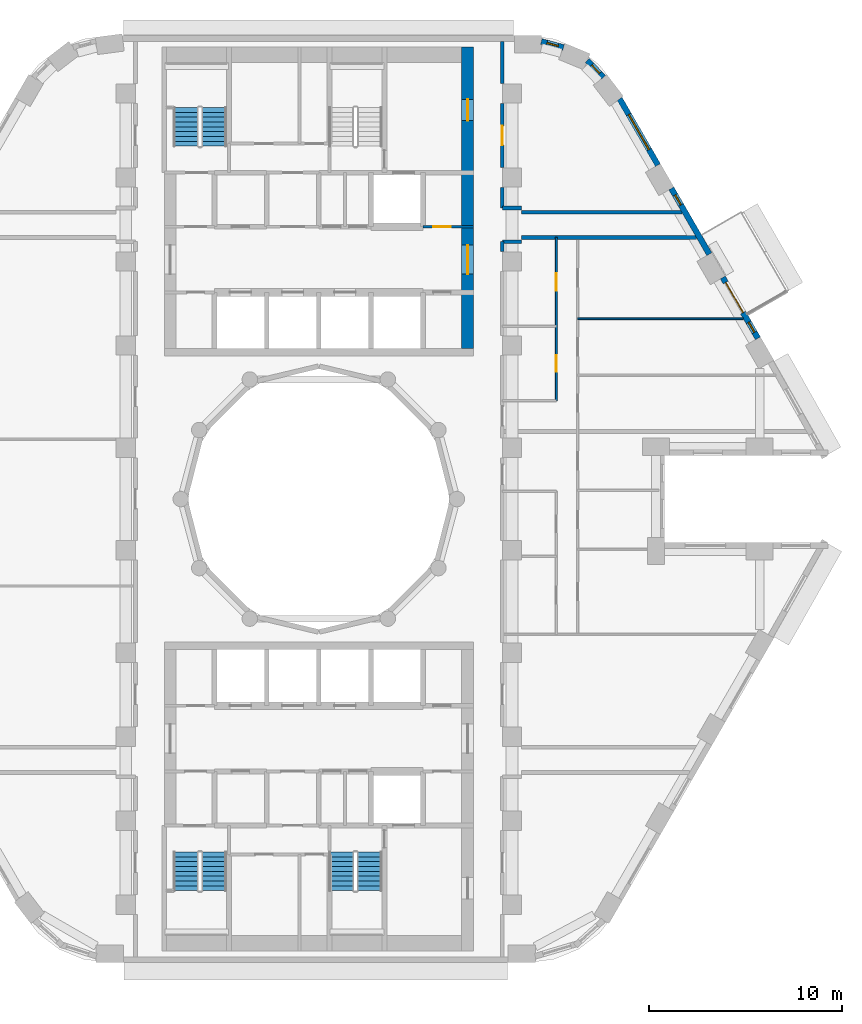
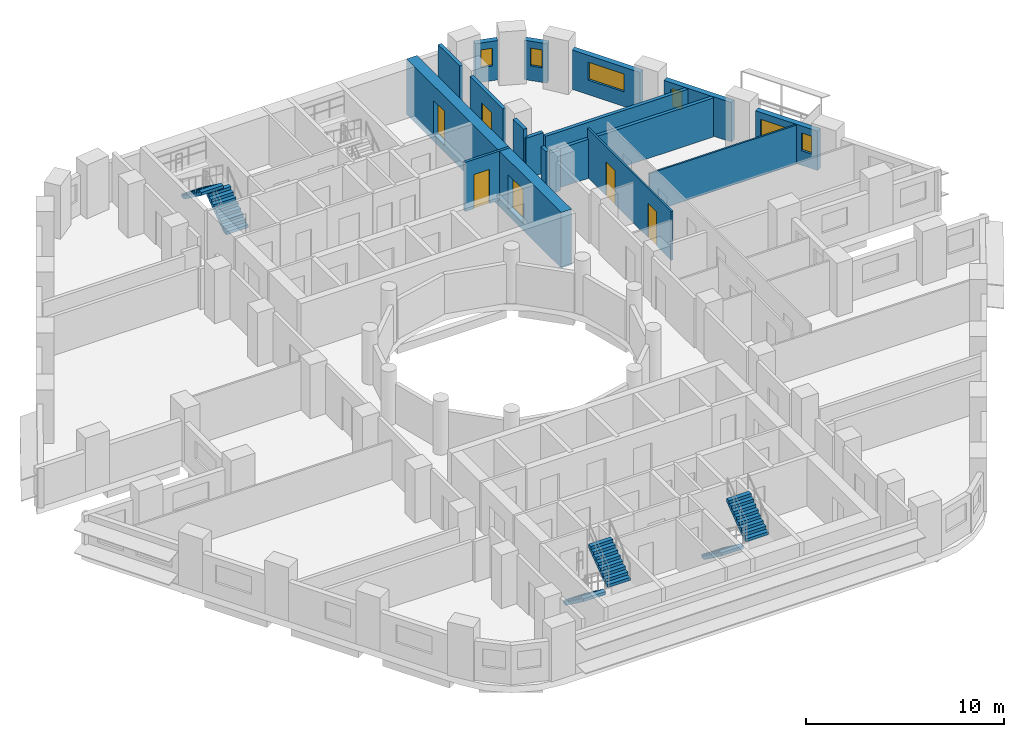
# One storey, part 8 of 13: 17 walls, 7 doors, 6 stair flights, 5 windows, 12 openings, 3 elements without a shape of their own.
"""IFC4 building model written with IfcOpenShell, lengths in metres."""

from ifc_helpers import new_model, si_unit, direction, frame, frame_2d, origin, place, context, subcontext, project, spatial, polyline, rectangle, outline, extrude, material, layer, layer_set, type_object, element, fill, aggregate, save


model = new_model("IFC4")

# Units and contexts
model_context = context("Model", 3, precision=1e-05, world=origin(), true_north=direction((0.0, 1.0)))
body_context = subcontext(model_context, "Body", "Model", "MODEL_VIEW")
ifc_project = project(units=[si_unit("LENGTHUNIT", "METRE"), si_unit("AREAUNIT", "SQUARE_METRE"), si_unit("VOLUMEUNIT", "CUBIC_METRE"), si_unit("PLANEANGLEUNIT", "RADIAN"), si_unit("MASSUNIT", "GRAM", prefix="KILO")], contexts=[model_context])

# Site, building, storey
site_placement = place(None, origin())
site = spatial("IfcSite", under=ifc_project, at=site_placement, CompositionType="ELEMENT")
building_placement = place(site_placement, origin())
building = spatial("IfcBuilding", under=site, at=building_placement, Name="Nakaniwa Court", CompositionType="ELEMENT")
storey_placement = place(building_placement, frame((0.0, 0.0, 77.699951171875)))
storey = spatial("IfcBuildingStorey", under=building, at=storey_placement, Name="L19", CompositionType="ELEMENT", Elevation=77.699951171875)

# Walls
ifc_material_1 = material(Name="Acoustic double stud partition")
ifc_layer_1 = layer(ifc_material_1, 0.199951171875)
ifc_layer_set_1 = layer_set([ifc_layer_1], Name="Acoustic double stud partition")
wall_type_1 = type_object("IfcWallType", Name="Acoustic double stud partition 200", PredefinedType="PARTITIONING", material=ifc_layer_set_1)
wall_1_placement = place(storey_placement, frame((89.5, 92.81689453125, 0.0), z_axis=(0.0, 0.0, 1.0), x_axis=(0.0, 1.0, 0.0)))
element("IfcWall", 1, at=wall_1_placement, inside=storey, type_object=wall_type_1, Name="Partition PW-077", PredefinedType="PARTITIONING", context=body_context, shape_type="SweptSolid", body=[
    extrude(rectangle(XDim=0.510986328125, YDim=0.199951171875, at=frame_2d((0.25537109375, 0.0))), origin(), (0.0, 0.0, 1.0), 3.025146484375),
])
wall_2_placement = place(storey_placement, frame((89.5, 95.072021484375, 0.0), z_axis=(0.0, 0.0, 1.0), x_axis=(0.0, 1.0, 0.0)))
element("IfcWall", 2, at=wall_2_placement, inside=storey, type_object=wall_type_1, Name="Partition PW-078", PredefinedType="PARTITIONING", context=body_context, shape_type="SweptSolid", body=[
    extrude(rectangle(XDim=1.06103515625, YDim=0.199951171875, at=frame_2d((0.530517578125, 0.0))), origin(), (0.0, 0.0, 1.0), 3.025146484375),
])

# Wall, opening, door
wall_3_placement = place(storey_placement, frame((89.5, 100.48291015625, 0.0), z_axis=(0.0, 0.0, 1.0), x_axis=(0.0, -1.0, 0.0)))
wall_3 = element("IfcWall", 3, at=wall_3_placement, inside=storey, type_object=wall_type_1, Name="Partition PW-079", PredefinedType="PARTITIONING", context=body_context, shape_type="SweptSolid", body=[
    extrude(rectangle(XDim=3.31591796875, YDim=0.199951171875, at=frame_2d((1.657958984375, 0.0))), origin(), (0.0, 0.0, 1.0), 3.025146484375),
])
opening_1_placement = place(wall_3_placement, frame((1.157958984375, 0.0, 0.0)))
opening_1 = element("IfcOpeningElement", 4, at=opening_1_placement, cuts=wall_3, Name="Opening D-02-02", PredefinedType="OPENING", context=body_context, shape_type="SweptSolid", body=[
    extrude(rectangle(XDim=1.0, YDim=2.10009765625, at=frame_2d((0.5, 1.050048828125))), frame((0.0, 0.10986328125, 0.0), z_axis=(0.0, -1.0, 0.0), x_axis=(1.0, 0.0, 0.0)), (0.0, 0.0, 1.0), 0.219970703125),
])
ifc_material_2 = material(Name="Solid core timber door set, black veneer", Category="wood")
door_type_1 = type_object("IfcDoorType", Name="Internal door 1000", OperationType="NOTDEFINED", PredefinedType="DOOR", material=ifc_material_2)
door_1_placement = place(opening_1_placement, origin())
door_1 = element("IfcDoor", 5, at=door_1_placement, inside=storey, type_object=door_type_1, Name="Door D-02-02 L19-040", OperationType="SINGLE_SWING_LEFT", OverallHeight=2.10009765625, OverallWidth=1.0, PredefinedType="DOOR", context=body_context, shape_type="SweptSolid", body=[
    extrude(rectangle(XDim=1.0, YDim=2.10009765625, at=frame_2d((0.5, 1.050048828125))), frame((0.0, 0.02490234375, 0.0), z_axis=(0.0, -1.0, 0.0), x_axis=(1.0, 0.0, 0.0)), (0.0, 0.0, 1.0), 0.050048828125),
])
fill(opening_1, door_1)

# Walls
wall_4_placement = place(storey_placement, frame((89.5, 101.51708984375, 0.0), z_axis=(0.0, 0.0, 1.0), x_axis=(0.0, 1.0, 0.0)))
element("IfcWall", 6, at=wall_4_placement, inside=storey, type_object=wall_type_1, Name="Partition PW-080", PredefinedType="PARTITIONING", context=body_context, shape_type="SweptSolid", body=[
    extrude(rectangle(XDim=2.182861328125, YDim=0.199951171875, at=frame_2d((1.09130859375, 0.0))), origin(), (0.0, 0.0, 1.0), 3.025146484375),
])
wall_5_placement = place(storey_placement, frame((90.5, 93.550048828125, 0.0), z_axis=(0.0, 0.0, 1.0), x_axis=(1.0, 0.0, 0.0)))
element("IfcWall", 7, at=wall_5_placement, inside=storey, type_object=wall_type_1, Name="Partition PW-082", PredefinedType="PARTITIONING", context=body_context, shape_type="SweptSolid", body=[
    extrude(rectangle(XDim=9.043212890625, YDim=0.199951171875, at=frame_2d((4.521484375, 0.0))), origin(), (0.0, 0.0, 1.0), 2.405029296875),
])
for number, where, z_axis, x_axis, name in (
    (8, (89.5, 93.324951171875, 0.0), (0.0, 0.0, 1.0), (1.0, 0.0, 0.0), "Partition PW-084"),
    (9, (89.5, 95.074951171875, 0.0), (0.0, 0.0, 1.0), (1.0, 0.0, 0.0), "Partition PW-086"),
):
    element("IfcWall", number, at=place(storey_placement, frame(where, z_axis=z_axis, x_axis=x_axis)), inside=storey, type_object=wall_type_1, Name=name, PredefinedType="PARTITIONING", context=body_context, shape_type="SweptSolid", body=[
        extrude(rectangle(XDim=1.0, YDim=0.199951171875, at=frame_2d((0.5, 0.0))), origin(), (0.0, 0.0, 1.0), 2.505126953125),
    ])
wall_6_placement = place(storey_placement, frame((90.5, 94.85009765625, 0.0), z_axis=(0.0, 0.0, 1.0), x_axis=(1.0, 0.0, 0.0)))
element("IfcWall", 10, at=wall_6_placement, inside=storey, type_object=wall_type_1, Name="Partition PW-088", PredefinedType="PARTITIONING", context=body_context, shape_type="SweptSolid", body=[
    extrude(rectangle(XDim=8.292724609375, YDim=0.199951171875, at=frame_2d((4.146484375, 0.0))), origin(), (0.0, 0.0, 1.0), 2.405029296875),
])

# Wall, openings, door, window
ifc_material_3 = material(Name="Charcoal ceramic cladding")
ifc_layer_2 = layer(ifc_material_3, 0.02, Name="Ceramic cladding")
ifc_material_4 = material(Name="Ventilated air cavity")
ifc_layer_3 = layer(ifc_material_4, 0.04, ventilated=True, Name="Ventilated cavity")
ifc_material_5 = material(Name="Mineral wool insulation")
ifc_layer_4 = layer(ifc_material_5, 0.1, Name="Insulation")
ifc_material_6 = material(Name="Cement bonded sheathing board")
ifc_layer_5 = layer(ifc_material_6, 0.012, Name="Sheathing")
ifc_material_7 = material(Name="Cold-formed galvanised stud frame with mineral wool infill")
ifc_layer_6 = layer(ifc_material_7, 0.1, Name="Stud frame")
ifc_material_8 = material(Name="Fire-rated gypsum plasterboard lining")
ifc_layer_7 = layer(ifc_material_8, 0.028, Name="Lining")
ifc_layer_set_2 = layer_set([ifc_layer_2, ifc_layer_3, ifc_layer_4, ifc_layer_5, ifc_layer_6, ifc_layer_7], Name="Charcoal ceramic faced external wall system")
wall_type_2 = type_object("IfcWallType", Name="Black ceramic faced external wall 300", PredefinedType="SOLIDWALL", material=ifc_layer_set_2)
wall_7_placement = place(storey_placement, frame((102.734619140625, 88.322509765625, 0.0), z_axis=(0.0, 0.0, 1.0), x_axis=(-0.500009139881, 0.866020126807, 0.0)))
wall_7 = element("IfcWall", 11, at=wall_7_placement, inside=storey, type_object=wall_type_2, Name="L19 external wall 03", PredefinedType="SOLIDWALL", context=body_context, shape_type="SweptSolid", body=[
    extrude(rectangle(XDim=3.63671875, YDim=0.300048828125, at=frame_2d((1.818359375, 0.0))), origin(), (0.0, 0.0, 1.0), 2.425048828125),
])
opening_2_placement = place(wall_7_placement, frame((1.540283203125, 0.0, 0.0)))
opening_2 = element("IfcOpeningElement", 12, at=opening_2_placement, cuts=wall_7, Name="Opening XD12.01", PredefinedType="OPENING", context=body_context, shape_type="SweptSolid", body=[
    extrude(rectangle(XDim=1.800048828125, YDim=2.0, at=frame_2d((0.89990234375, 1.0))), frame((0.0, 0.159912109375, 0.0), z_axis=(0.0, -1.0, 0.0), x_axis=(1.0, 0.0, 0.0)), (0.0, 0.0, 1.0), 0.320068359375),
])
opening_3_placement = place(wall_7_placement, frame((0.35888671875, 0.0, 0.89990234375)))
opening_3 = element("IfcOpeningElement", 13, at=opening_3_placement, cuts=wall_7, Name="Opening W8.05", PredefinedType="OPENING", context=body_context, shape_type="SweptSolid", body=[
    extrude(rectangle(XDim=0.60009765625, YDim=1.10009765625, at=frame_2d((0.300048828125, 0.550048828125))), frame((0.0, 0.159912109375, 0.0), z_axis=(0.0, -1.0, 0.0), x_axis=(1.0, 0.0, 0.0)), (0.0, 0.0, 1.0), 0.320068359375),
])
ifc_material_9 = material(Name="Black powder-coated aluminium frame with dark laminated glass", Category="aluminium")
door_type_2 = type_object("IfcDoorType", Name="Balcony sliding door 1800x2000", OperationType="SLIDING_TO_LEFT", PredefinedType="DOOR", material=ifc_material_9)
door_2_placement = place(opening_2_placement, origin())
door_2 = element("IfcDoor", 14, at=door_2_placement, inside=storey, type_object=door_type_2, Name="L19 balcony sliding door 01", OperationType="SLIDING_TO_LEFT", OverallHeight=2.0, OverallWidth=1.800048828125, PredefinedType="DOOR", context=body_context, shape_type="SweptSolid", body=[
    extrude(rectangle(XDim=1.800048828125, YDim=2.0, at=frame_2d((0.89990234375, 1.0))), frame((0.0, 0.02490234375, 0.0), z_axis=(0.0, -1.0, 0.0), x_axis=(1.0, 0.0, 0.0)), (0.0, 0.0, 1.0), 0.050048828125),
])
fill(opening_2, door_2)
ifc_material_10 = material(Name="Black anodised aluminium frame with dark low-E laminated double glazing", Category="aluminium")
window_type_1 = type_object("IfcWindowType", Name="Dark glass window 600x1100 sill 900", PartitioningType="SINGLE_PANEL", PredefinedType="WINDOW", material=ifc_material_10)
window_1_placement = place(opening_3_placement, origin())
window_1 = element("IfcWindow", 15, at=window_1_placement, inside=storey, type_object=window_type_1, Name="L19 bedroom window 03-0", OverallHeight=1.10009765625, OverallWidth=0.60009765625, PartitioningType="SINGLE_PANEL", PredefinedType="WINDOW", context=body_context, shape_type="SweptSolid", body=[
    extrude(rectangle(XDim=0.60009765625, YDim=1.10009765625, at=frame_2d((0.300048828125, 0.550048828125))), frame((0.0, 0.030029296875, 0.0), z_axis=(0.0, -1.0, 0.0), x_axis=(1.0, 0.0, 0.0)), (0.0, 0.0, 1.0), 0.06005859375),
])
fill(opening_3, window_1)

# Wall, opening, window
wall_8_placement = place(storey_placement, frame((100.22021484375, 92.677490234375, 0.0), z_axis=(0.0, 0.0, 1.0), x_axis=(-0.499957037901, 0.866050206543, 0.0)))
wall_8 = element("IfcWall", 16, at=wall_8_placement, inside=storey, type_object=wall_type_2, Name="L19 external wall 04", PredefinedType="SOLIDWALL", context=body_context, shape_type="SweptSolid", body=[
    extrude(rectangle(XDim=3.933837890625, YDim=0.300048828125, at=frame_2d((1.966796875, 0.0))), origin(), (0.0, 0.0, 1.0), 2.425048828125),
])
opening_4_placement = place(wall_8_placement, frame((2.9453125, 0.0, 0.89990234375)))
opening_4 = element("IfcOpeningElement", 17, at=opening_4_placement, cuts=wall_8, Name="Opening W8.06", PredefinedType="OPENING", context=body_context, shape_type="SweptSolid", body=[
    extrude(rectangle(XDim=0.60009765625, YDim=1.10009765625, at=frame_2d((0.300048828125, 0.550048828125))), frame((0.0, 0.159912109375, 0.0), z_axis=(0.0, -1.0, 0.0), x_axis=(1.0, 0.0, 0.0)), (0.0, 0.0, 1.0), 0.320068359375),
])
window_2_placement = place(opening_4_placement, origin())
window_2 = element("IfcWindow", 18, at=window_2_placement, inside=storey, type_object=window_type_1, Name="L19 habitable room window 04-2", OverallHeight=1.10009765625, OverallWidth=0.60009765625, PartitioningType="SINGLE_PANEL", PredefinedType="WINDOW", context=body_context, shape_type="SweptSolid", body=[
    extrude(rectangle(XDim=0.60009765625, YDim=1.10009765625, at=frame_2d((0.300048828125, 0.550048828125))), frame((0.0, 0.030029296875, 0.0), z_axis=(0.0, -1.0, 0.0), x_axis=(1.0, 0.0, 0.0)), (0.0, 0.0, 1.0), 0.06005859375),
])
fill(opening_4, window_2)

wall_9_placement = place(storey_placement, frame((97.557373046875, 97.289794921875, 0.0), z_axis=(0.0, 0.0, 1.0), x_axis=(-0.500043828347, 0.866000097998, 0.0)))
wall_9 = element("IfcWall", 19, at=wall_9_placement, inside=storey, type_object=wall_type_2, Name="L19 external wall 05", PredefinedType="SOLIDWALL", context=body_context, shape_type="SweptSolid", body=[
    extrude(rectangle(XDim=3.967529296875, YDim=0.300048828125, at=frame_2d((1.98388671875, 0.0))), origin(), (0.0, 0.0, 1.0), 2.425048828125),
])
opening_5_placement = place(wall_9_placement, frame((0.92236328125, 0.0, 0.89990234375)))
opening_5 = element("IfcOpeningElement", 20, at=opening_5_placement, cuts=wall_9, Name="Opening W7.07", PredefinedType="OPENING", context=body_context, shape_type="SweptSolid", body=[
    extrude(rectangle(XDim=2.10009765625, YDim=1.10009765625, at=frame_2d((1.050048828125, 0.550048828125))), frame((0.0, 0.159912109375, 0.0), z_axis=(0.0, -1.0, 0.0), x_axis=(1.0, 0.0, 0.0)), (0.0, 0.0, 1.0), 0.320068359375),
])
window_type_2 = type_object("IfcWindowType", Name="Dark glass window 2100x1100 sill 900", PartitioningType="SINGLE_PANEL", PredefinedType="WINDOW", material=ifc_material_10)
window_3_placement = place(opening_5_placement, origin())
window_3 = element("IfcWindow", 21, at=window_3_placement, inside=storey, type_object=window_type_2, Name="L19 habitable room window 05-0", OverallHeight=1.10009765625, OverallWidth=2.10009765625, PartitioningType="SINGLE_PANEL", PredefinedType="WINDOW", context=body_context, shape_type="SweptSolid", body=[
    extrude(rectangle(XDim=2.10009765625, YDim=1.10009765625, at=frame_2d((1.050048828125, 0.550048828125))), frame((0.0, 0.030029296875, 0.0), z_axis=(0.0, -1.0, 0.0), x_axis=(1.0, 0.0, 0.0)), (0.0, 0.0, 1.0), 0.06005859375),
])
fill(opening_5, window_3)

wall_10_placement = place(storey_placement, frame((94.738037109375, 101.839111328125, 0.0), z_axis=(0.0, 0.0, 1.0), x_axis=(-0.697032216592, 0.717039809936, 0.0)))
wall_10 = element("IfcWall", 22, at=wall_10_placement, inside=storey, type_object=wall_type_2, Name="L19 external wall 06", PredefinedType="SOLIDWALL", context=body_context, shape_type="SweptSolid", body=[
    extrude(rectangle(XDim=1.2080078125, YDim=0.300048828125, at=frame_2d((0.60400390625, 0.0))), origin(), (0.0, 0.0, 1.0), 2.425048828125),
])
opening_6_placement = place(wall_10_placement, frame((0.279296875, 0.0, 0.89990234375)))
opening_6 = element("IfcOpeningElement", 23, at=opening_6_placement, cuts=wall_10, Name="Opening W8.08", PredefinedType="OPENING", context=body_context, shape_type="SweptSolid", body=[
    extrude(rectangle(XDim=0.60009765625, YDim=1.10009765625, at=frame_2d((0.300048828125, 0.550048828125))), frame((0.0, 0.159912109375, 0.0), z_axis=(0.0, -1.0, 0.0), x_axis=(1.0, 0.0, 0.0)), (0.0, 0.0, 1.0), 0.320068359375),
])
window_4_placement = place(opening_6_placement, origin())
window_4 = element("IfcWindow", 24, at=window_4_placement, inside=storey, type_object=window_type_1, Name="L19 habitable room window 06-0", OverallHeight=1.10009765625, OverallWidth=0.60009765625, PartitioningType="SINGLE_PANEL", PredefinedType="WINDOW", context=body_context, shape_type="SweptSolid", body=[
    extrude(rectangle(XDim=0.60009765625, YDim=1.10009765625, at=frame_2d((0.300048828125, 0.550048828125))), frame((0.0, 0.030029296875, 0.0), z_axis=(0.0, -1.0, 0.0), x_axis=(1.0, 0.0, 0.0)), (0.0, 0.0, 1.0), 0.06005859375),
])
fill(opening_6, window_4)

wall_11_placement = place(storey_placement, frame((92.669189453125, 103.3818359375, 0.0), z_axis=(0.0, 0.0, 1.0), x_axis=(-0.965278131029, 0.261224290136, 0.0)))
wall_11 = element("IfcWall", 25, at=wall_11_placement, inside=storey, type_object=wall_type_2, Name="L19 external wall 07", PredefinedType="SOLIDWALL", context=body_context, shape_type="SweptSolid", body=[
    extrude(rectangle(XDim=1.189697265625, YDim=0.300048828125, at=frame_2d((0.5947265625, 0.0))), origin(), (0.0, 0.0, 1.0), 2.425048828125),
])
opening_7_placement = place(wall_11_placement, frame((0.28466796875, 0.0, 0.89990234375)))
opening_7 = element("IfcOpeningElement", 26, at=opening_7_placement, cuts=wall_11, Name="Opening W8.09", PredefinedType="OPENING", context=body_context, shape_type="SweptSolid", body=[
    extrude(rectangle(XDim=0.60009765625, YDim=1.10009765625, at=frame_2d((0.300048828125, 0.550048828125))), frame((0.0, 0.159912109375, 0.0), z_axis=(0.0, -1.0, 0.0), x_axis=(1.0, 0.0, 0.0)), (0.0, 0.0, 1.0), 0.320068359375),
])
window_5_placement = place(opening_7_placement, origin())
window_5 = element("IfcWindow", 27, at=window_5_placement, inside=storey, type_object=window_type_1, Name="L19 habitable room window 07-0", OverallHeight=1.10009765625, OverallWidth=0.60009765625, PartitioningType="SINGLE_PANEL", PredefinedType="WINDOW", context=body_context, shape_type="SweptSolid", body=[
    extrude(rectangle(XDim=0.60009765625, YDim=1.10009765625, at=frame_2d((0.300048828125, 0.550048828125))), frame((0.0, 0.030029296875, 0.0), z_axis=(0.0, -1.0, 0.0), x_axis=(1.0, 0.0, 0.0)), (0.0, 0.0, 1.0), 0.06005859375),
])
fill(opening_7, window_5)

# Wall, opening, door
ifc_material_11 = material(Name="Blockwork partition", Category="masonry")
ifc_layer_8 = layer(ifc_material_11, 0.14990234375)
ifc_layer_set_3 = layer_set([ifc_layer_8], Name="Blockwork partition")
wall_type_3 = type_object("IfcWallType", Name="Blockwork partition 150", PredefinedType="PARTITIONING", material=ifc_layer_set_3)
wall_12_placement = place(storey_placement, frame((85.39697265625, 94.10009765625, 0.0), z_axis=(0.0, 0.0, 1.0), x_axis=(1.0, 0.0, 0.0)))
wall_12 = element("IfcWall", 28, at=wall_12_placement, inside=storey, type_object=wall_type_3, Name="Partition PW-018", PredefinedType="PARTITIONING", context=body_context, shape_type="SweptSolid", body=[
    extrude(rectangle(XDim=2.60302734375, YDim=0.14990234375, at=frame_2d((1.301513671875, 0.0))), origin(), (0.0, 0.0, 1.0), 3.025146484375),
])
opening_8_placement = place(wall_12_placement, frame((0.528076171875, 0.0, 0.0)))
opening_8 = element("IfcOpeningElement", 29, at=opening_8_placement, cuts=wall_12, Name="Opening D-05-06", PredefinedType="OPENING", context=body_context, shape_type="SweptSolid", body=[
    extrude(rectangle(XDim=0.89990234375, YDim=2.10009765625, at=frame_2d((0.449951171875, 1.050048828125))), frame((0.0, 0.0849609375, 0.0), z_axis=(0.0, -1.0, 0.0), x_axis=(1.0, 0.0, 0.0)), (0.0, 0.0, 1.0), 0.169921875),
])
ifc_material_12 = material(Name="Fire rated steel door set", Category="steel")
door_type_3 = type_object("IfcDoorType", Name="Service room door 900", OperationType="NOTDEFINED", PredefinedType="DOOR", material=ifc_material_12)
door_3_placement = place(opening_8_placement, origin())
door_3 = element("IfcDoor", 30, at=door_3_placement, inside=storey, type_object=door_type_3, Name="Door D-05-06 L19-008", OperationType="SINGLE_SWING_LEFT", OverallHeight=2.10009765625, OverallWidth=0.89990234375, PredefinedType="DOOR", context=body_context, shape_type="SweptSolid", body=[
    extrude(rectangle(XDim=0.89990234375, YDim=2.10009765625, at=frame_2d((0.449951171875, 1.050048828125))), frame((0.0, 0.02490234375, 0.0), z_axis=(0.0, -1.0, 0.0), x_axis=(1.0, 0.0, 0.0)), (0.0, 0.0, 1.0), 0.050048828125),
])
fill(opening_8, door_3)

# Wall, openings, doors
ifc_material_13 = material(Name="Concrete C80/100", Category="concrete")
ifc_layer_9 = layer(ifc_material_13, 0.60009765625)
ifc_layer_set_4 = layer_set([ifc_layer_9], Name="Concrete C80/100")
wall_type_4 = type_object("IfcWallType", Name="Concrete core side wall 600 C80", PredefinedType="SHEAR", material=ifc_layer_set_4)
wall_13_placement = place(storey_placement, frame((87.699951171875, 103.39990234375, -0.409912109375), z_axis=(0.0, 0.0, 1.0), x_axis=(0.0, -1.0, 0.0)))
wall_13 = element("IfcWall", 31, at=wall_13_placement, inside=storey, type_object=wall_type_4, Name="Core wall SW-15", PredefinedType="SHEAR", context=body_context, shape_type="SweptSolid", body=[
    extrude(rectangle(XDim=15.599853515625, YDim=0.60009765625, at=frame_2d((7.7998046875, 0.0))), origin(), (0.0, 0.0, 1.0), 3.43505859375),
])
opening_9_placement = place(wall_13_placement, frame((10.25, 0.0, 0.409912109375)))
opening_9 = element("IfcOpeningElement", 32, at=opening_9_placement, cuts=wall_13, Name="Opening D-07-01", PredefinedType="OPENING", context=body_context, shape_type="SweptSolid", body=[
    extrude(rectangle(XDim=1.5, YDim=2.10009765625, at=frame_2d((0.75, 1.050048828125))), frame((0.0, 0.31005859375, 0.0), z_axis=(0.0, -1.0, 0.0), x_axis=(1.0, 0.0, 0.0)), (0.0, 0.0, 1.0), 0.6201171875),
])
opening_10_placement = place(wall_13_placement, frame((2.699951171875, 0.0, 0.409912109375)))
opening_10 = element("IfcOpeningElement", 33, at=opening_10_placement, cuts=wall_13, Name="Opening D-10-01", PredefinedType="OPENING", context=body_context, shape_type="SweptSolid", body=[
    extrude(rectangle(XDim=1.10009765625, YDim=2.10009765625, at=frame_2d((0.550048828125, 1.050048828125))), frame((0.0, 0.31005859375, 0.0), z_axis=(0.0, -1.0, 0.0), x_axis=(1.0, 0.0, 0.0)), (0.0, 0.0, 1.0), 0.6201171875),
])
door_type_4 = type_object("IfcDoorType", Name="Firefighting lobby door 1100", OperationType="NOTDEFINED", PredefinedType="DOOR", material=ifc_material_12)
door_4_placement = place(opening_10_placement, origin())
door_4 = element("IfcDoor", 34, at=door_4_placement, inside=storey, type_object=door_type_4, Name="Door D-10-01 L19-049", OperationType="SINGLE_SWING_RIGHT", OverallHeight=2.10009765625, OverallWidth=1.10009765625, PredefinedType="DOOR", context=body_context, shape_type="SweptSolid", body=[
    extrude(rectangle(XDim=1.10009765625, YDim=2.10009765625, at=frame_2d((0.550048828125, 1.050048828125))), frame((0.0, 0.02490234375, 0.0), z_axis=(0.0, -1.0, 0.0), x_axis=(1.0, 0.0, 0.0)), (0.0, 0.0, 1.0), 0.050048828125),
])
fill(opening_10, door_4)
ifc_material_14 = material(Name="Glazed fire rated steel double door set", Category="steel")
door_type_5 = type_object("IfcDoorType", Name="Lobby double door 1500", OperationType="NOTDEFINED", PredefinedType="DOOR", material=ifc_material_14)
door_5_placement = place(opening_9_placement, origin())
door_5 = element("IfcDoor", 35, at=door_5_placement, inside=storey, type_object=door_type_5, Name="Door D-07-01 L19-047", OperationType="DOUBLE_DOOR_SINGLE_SWING", OverallHeight=2.10009765625, OverallWidth=1.5, PredefinedType="DOOR", context=body_context, shape_type="SweptSolid", body=[
    extrude(rectangle(XDim=1.5, YDim=2.10009765625, at=frame_2d((0.75, 1.050048828125))), frame((0.0, 0.02490234375, 0.0), z_axis=(0.0, -1.0, 0.0), x_axis=(1.0, 0.0, 0.0)), (0.0, 0.0, 1.0), 0.050048828125),
])
fill(opening_9, door_5)

ifc_material_15 = material(Name="Single stud plasterboard partition")
ifc_layer_10 = layer(ifc_material_15, 0.10009765625)
ifc_layer_set_5 = layer_set([ifc_layer_10], Name="Single stud plasterboard partition")
wall_type_5 = type_object("IfcWallType", Name="Single stud plasterboard partition 100", PredefinedType="PARTITIONING", material=ifc_layer_set_5)
wall_14_placement = place(storey_placement, frame((92.300048828125, 85.10009765625, 0.0), z_axis=(0.0, 0.0, 1.0), x_axis=(0.0, 1.0, 0.0)))
wall_14 = element("IfcWall", 36, at=wall_14_placement, inside=storey, type_object=wall_type_5, Name="Partition PW-110", PredefinedType="PARTITIONING", context=body_context, shape_type="SweptSolid", body=[
    extrude(rectangle(XDim=8.449951171875, YDim=0.10009765625, at=frame_2d((4.22509765625, 0.0))), origin(), (0.0, 0.0, 1.0), 3.025146484375),
])
opening_11_placement = place(wall_14_placement, frame((1.4951171875, 0.0, 0.0)))
opening_11 = element("IfcOpeningElement", 37, at=opening_11_placement, cuts=wall_14, Name="Opening D-03-02", PredefinedType="OPENING", context=body_context, shape_type="SweptSolid", body=[
    extrude(rectangle(XDim=0.85009765625, YDim=2.10009765625, at=frame_2d((0.425048828125, 1.050048828125))), frame((0.0, 0.06005859375, 0.0), z_axis=(0.0, -1.0, 0.0), x_axis=(1.0, 0.0, 0.0)), (0.0, 0.0, 1.0), 0.1201171875),
])
opening_12_placement = place(wall_14_placement, frame((5.695068359375, 0.0, 0.0)))
opening_12 = element("IfcOpeningElement", 38, at=opening_12_placement, cuts=wall_14, Name="Opening D-33-05", PredefinedType="OPENING", context=body_context, shape_type="SweptSolid", body=[
    extrude(rectangle(XDim=0.89990234375, YDim=2.10009765625, at=frame_2d((0.449951171875, 1.050048828125))), frame((0.0, 0.06005859375, 0.0), z_axis=(0.0, -1.0, 0.0), x_axis=(1.0, 0.0, 0.0)), (0.0, 0.0, 1.0), 0.1201171875),
])
ifc_material_16 = material(Name="Moisture sealed timber door set", Category="wood")
door_type_6 = type_object("IfcDoorType", Name="Bathroom door 850", OperationType="NOTDEFINED", PredefinedType="DOOR", material=ifc_material_16)
door_6_placement = place(opening_11_placement, origin())
door_6 = element("IfcDoor", 39, at=door_6_placement, inside=storey, type_object=door_type_6, Name="Door D-03-02 L19-035", OperationType="SINGLE_SWING_RIGHT", OverallHeight=2.10009765625, OverallWidth=0.85009765625, PredefinedType="DOOR", context=body_context, shape_type="SweptSolid", body=[
    extrude(rectangle(XDim=0.85009765625, YDim=2.10009765625, at=frame_2d((0.425048828125, 1.050048828125))), frame((0.0, 0.02490234375, 0.0), z_axis=(0.0, -1.0, 0.0), x_axis=(1.0, 0.0, 0.0)), (0.0, 0.0, 1.0), 0.050048828125),
])
fill(opening_11, door_6)
door_type_7 = type_object("IfcDoorType", Name="Internal door 900", OperationType="NOTDEFINED", PredefinedType="DOOR", material=ifc_material_2)
door_7_placement = place(opening_12_placement, origin())
door_7 = element("IfcDoor", 40, at=door_7_placement, inside=storey, type_object=door_type_7, Name="Door D-33-05 L19-036", OperationType="SINGLE_SWING_LEFT", OverallHeight=2.10009765625, OverallWidth=0.89990234375, PredefinedType="DOOR", context=body_context, shape_type="SweptSolid", body=[
    extrude(rectangle(XDim=0.89990234375, YDim=2.10009765625, at=frame_2d((0.449951171875, 1.050048828125))), frame((0.0, 0.02490234375, 0.0), z_axis=(0.0, -1.0, 0.0), x_axis=(1.0, 0.0, 0.0)), (0.0, 0.0, 1.0), 0.050048828125),
])
fill(opening_12, door_7)

# Wall
wall_15_placement = place(storey_placement, frame((93.39990234375, 89.3349609375, 0.0), z_axis=(0.0, 0.0, 1.0), x_axis=(1.0, 0.0, 0.0)))
element("IfcWall", 41, at=wall_15_placement, inside=storey, type_object=wall_type_5, Name="Partition PW-119", PredefinedType="PARTITIONING", context=body_context, shape_type="SweptSolid", body=[
    extrude(rectangle(XDim=8.57666015625, YDim=0.10009765625, at=frame_2d((4.288330078125, 0.0))), origin(), (0.0, 0.0, 1.0), 2.405029296875),
])

# Stair, stair flights
stair_type = type_object("IfcStairType", Name="Dog leg stair 1300 wide 18 risers", PredefinedType="HALF_TURN_STAIR", material=ifc_material_13)
stair_1_placement = place(storey_placement, origin())
stair_1 = element("IfcStair", 42, at=stair_1_placement, inside=storey, type_object=stair_type, Name="L19 Stair ST1", PredefinedType="HALF_TURN_STAIR")
stair_flight_type = type_object("IfcStairFlightType", Name="Stair flight 1300 wide 9 risers", PredefinedType="STRAIGHT", material=ifc_material_13)
stair_flight_1_placement = place(storey_placement, frame((74.574951171875, 98.27490234375, 0.0), z_axis=(0.0, 0.0, 1.0), x_axis=(0.0, 1.0, 0.0)))
stair_flight_1 = element("IfcStairFlight", 43, at=stair_flight_1_placement, type_object=stair_flight_type, Name="ST1 flight 1", NumberOfRisers=9, NumberOfTreads=8, PredefinedType="STRAIGHT", RiserHeight=0.183333333, TreadLength=0.25, context=body_context, shape_type="SweptSolid", body=[
    extrude(outline(polyline([(0.0, 0.0), (0.0, 0.026123046875), (0.0, 0.052490234375), (0.0, 0.07861328125), (0.0, 0.104736328125), (0.0, 0.130859375), (0.0, 0.1572265625), (0.0, 0.183349609375), (0.25, 0.183349609375), (0.25, 0.36669921875), (0.5, 0.36669921875), (0.5, 0.550048828125), (0.75, 0.550048828125), (0.75, 0.7333984375), (1.0, 0.7333984375), (1.0, 0.916748046875), (1.25, 0.916748046875), (1.25, 1.10009765625), (1.5, 1.10009765625), (1.5, 1.283447265625), (1.75, 1.283447265625), (1.75, 1.466552734375), (2.0, 1.466552734375), (2.0, 1.64990234375), (2.0, 1.59716796875), (2.0, 1.54443359375), (2.0, 1.49169921875), (2.0, 1.43896484375), (2.0, 1.38623046875), (2.0, 1.33349609375), (2.0, 1.28076171875), (0.25341796875, 0.0), (0.0, 0.0)])), frame((0.0, 0.64990234375, 0.0), z_axis=(0.0, -1.0, 0.0), x_axis=(1.0, 0.0, 0.0)), (0.0, 0.0, 1.0), 1.300048828125),
])
stair_flight_2_placement = place(storey_placement, frame((73.125, 100.27490234375, 1.650146484375), z_axis=(0.0, 0.0, 1.0), x_axis=(0.0, -1.0, 0.0)))
stair_flight_2 = element("IfcStairFlight", 44, at=stair_flight_2_placement, type_object=stair_flight_type, Name="ST1 flight 2", NumberOfRisers=9, NumberOfTreads=8, PredefinedType="STRAIGHT", RiserHeight=0.183333333, TreadLength=0.25, context=body_context, shape_type="SweptSolid", body=[
    extrude(outline(polyline([(0.0, 0.0), (0.0, 0.026123046875), (0.0, 0.052490234375), (0.0, 0.07861328125), (0.0, 0.104736328125), (0.0, 0.130859375), (0.0, 0.1572265625), (0.0, 0.183349609375), (0.25, 0.183349609375), (0.25, 0.36669921875), (0.5, 0.36669921875), (0.5, 0.550048828125), (0.75, 0.550048828125), (0.75, 0.7333984375), (1.0, 0.7333984375), (1.0, 0.916748046875), (1.25, 0.916748046875), (1.25, 1.10009765625), (1.5, 1.10009765625), (1.5, 1.283447265625), (1.75, 1.283447265625), (1.75, 1.466552734375), (2.0, 1.466552734375), (2.0, 1.64990234375), (2.0, 1.59716796875), (2.0, 1.54443359375), (2.0, 1.49169921875), (2.0, 1.43896484375), (2.0, 1.38623046875), (2.0, 1.33349609375), (2.0, 1.28076171875), (0.25341796875, 0.0), (0.0, 0.0)])), frame((0.0, 0.64990234375, 0.0), z_axis=(0.0, -1.0, 0.0), x_axis=(1.0, 0.0, 0.0)), (0.0, 0.0, 1.0), 1.300048828125),
])
aggregate(stair_1, [stair_flight_1, stair_flight_2])

stair_2_placement = place(storey_placement, origin())
stair_2 = element("IfcStair", 45, at=stair_2_placement, inside=storey, type_object=stair_type, Name="L19 Stair ST3", PredefinedType="HALF_TURN_STAIR")
stair_flight_3_placement = place(storey_placement, frame((73.125, 61.72509765625, 0.0), z_axis=(0.0, 0.0, 1.0), x_axis=(0.0, -1.0, 0.0)))
stair_flight_3 = element("IfcStairFlight", 46, at=stair_flight_3_placement, type_object=stair_flight_type, Name="ST3 flight 1", NumberOfRisers=9, NumberOfTreads=8, PredefinedType="STRAIGHT", RiserHeight=0.183333333, TreadLength=0.25, context=body_context, shape_type="SweptSolid", body=[
    extrude(outline(polyline([(0.0, 0.0), (0.0, 0.026123046875), (0.0, 0.052490234375), (0.0, 0.07861328125), (0.0, 0.104736328125), (0.0, 0.130859375), (0.0, 0.1572265625), (0.0, 0.183349609375), (0.25, 0.183349609375), (0.25, 0.36669921875), (0.5, 0.36669921875), (0.5, 0.550048828125), (0.75, 0.550048828125), (0.75, 0.7333984375), (1.0, 0.7333984375), (1.0, 0.916748046875), (1.25, 0.916748046875), (1.25, 1.10009765625), (1.5, 1.10009765625), (1.5, 1.283447265625), (1.75, 1.283447265625), (1.75, 1.466552734375), (2.0, 1.466552734375), (2.0, 1.64990234375), (2.0, 1.59716796875), (2.0, 1.54443359375), (2.0, 1.49169921875), (2.0, 1.43896484375), (2.0, 1.38623046875), (2.0, 1.33349609375), (2.0, 1.28076171875), (0.25341796875, 0.0), (0.0, 0.0)])), frame((0.0, 0.64990234375, 0.0), z_axis=(0.0, -1.0, 0.0), x_axis=(1.0, 0.0, 0.0)), (0.0, 0.0, 1.0), 1.300048828125),
])
stair_flight_4_placement = place(storey_placement, frame((74.574951171875, 59.72509765625, 1.650146484375), z_axis=(0.0, 0.0, 1.0), x_axis=(0.0, 1.0, 0.0)))
stair_flight_4 = element("IfcStairFlight", 47, at=stair_flight_4_placement, type_object=stair_flight_type, Name="ST3 flight 2", NumberOfRisers=9, NumberOfTreads=8, PredefinedType="STRAIGHT", RiserHeight=0.183333333, TreadLength=0.25, context=body_context, shape_type="SweptSolid", body=[
    extrude(outline(polyline([(0.0, 0.0), (0.0, 0.026123046875), (0.0, 0.052490234375), (0.0, 0.07861328125), (0.0, 0.104736328125), (0.0, 0.130859375), (0.0, 0.1572265625), (0.0, 0.183349609375), (0.25, 0.183349609375), (0.25, 0.36669921875), (0.5, 0.36669921875), (0.5, 0.550048828125), (0.75, 0.550048828125), (0.75, 0.7333984375), (1.0, 0.7333984375), (1.0, 0.916748046875), (1.25, 0.916748046875), (1.25, 1.10009765625), (1.5, 1.10009765625), (1.5, 1.283447265625), (1.75, 1.283447265625), (1.75, 1.466552734375), (2.0, 1.466552734375), (2.0, 1.64990234375), (2.0, 1.59716796875), (2.0, 1.54443359375), (2.0, 1.49169921875), (2.0, 1.43896484375), (2.0, 1.38623046875), (2.0, 1.33349609375), (2.0, 1.28076171875), (0.25341796875, 0.0), (0.0, 0.0)])), frame((0.0, 0.64990234375, 0.0), z_axis=(0.0, -1.0, 0.0), x_axis=(1.0, 0.0, 0.0)), (0.0, 0.0, 1.0), 1.300048828125),
])
aggregate(stair_2, [stair_flight_3, stair_flight_4])

stair_3_placement = place(storey_placement, origin())
stair_3 = element("IfcStair", 48, at=stair_3_placement, inside=storey, type_object=stair_type, Name="L19 Stair ST4", PredefinedType="HALF_TURN_STAIR")
stair_flight_5_placement = place(storey_placement, frame((81.175048828125, 61.72509765625, 0.0), z_axis=(0.0, 0.0, 1.0), x_axis=(0.0, -1.0, 0.0)))
stair_flight_5 = element("IfcStairFlight", 49, at=stair_flight_5_placement, type_object=stair_flight_type, Name="ST4 flight 1", NumberOfRisers=9, NumberOfTreads=8, PredefinedType="STRAIGHT", RiserHeight=0.183333333, TreadLength=0.25, context=body_context, shape_type="SweptSolid", body=[
    extrude(outline(polyline([(0.0, 0.0), (0.0, 0.026123046875), (0.0, 0.052490234375), (0.0, 0.07861328125), (0.0, 0.104736328125), (0.0, 0.130859375), (0.0, 0.1572265625), (0.0, 0.183349609375), (0.25, 0.183349609375), (0.25, 0.36669921875), (0.5, 0.36669921875), (0.5, 0.550048828125), (0.75, 0.550048828125), (0.75, 0.7333984375), (1.0, 0.7333984375), (1.0, 0.916748046875), (1.25, 0.916748046875), (1.25, 1.10009765625), (1.5, 1.10009765625), (1.5, 1.283447265625), (1.75, 1.283447265625), (1.75, 1.466552734375), (2.0, 1.466552734375), (2.0, 1.64990234375), (2.0, 1.59716796875), (2.0, 1.54443359375), (2.0, 1.49169921875), (2.0, 1.43896484375), (2.0, 1.38623046875), (2.0, 1.33349609375), (2.0, 1.28076171875), (0.25341796875, 0.0), (0.0, 0.0)])), frame((0.0, 0.64990234375, 0.0), z_axis=(0.0, -1.0, 0.0), x_axis=(1.0, 0.0, 0.0)), (0.0, 0.0, 1.0), 1.300048828125),
])
stair_flight_6_placement = place(storey_placement, frame((82.625, 59.72509765625, 1.650146484375), z_axis=(0.0, 0.0, 1.0), x_axis=(0.0, 1.0, 0.0)))
stair_flight_6 = element("IfcStairFlight", 50, at=stair_flight_6_placement, type_object=stair_flight_type, Name="ST4 flight 2", NumberOfRisers=9, NumberOfTreads=8, PredefinedType="STRAIGHT", RiserHeight=0.183333333, TreadLength=0.25, context=body_context, shape_type="SweptSolid", body=[
    extrude(outline(polyline([(0.0, 0.0), (0.0, 0.026123046875), (0.0, 0.052490234375), (0.0, 0.07861328125), (0.0, 0.104736328125), (0.0, 0.130859375), (0.0, 0.1572265625), (0.0, 0.183349609375), (0.25, 0.183349609375), (0.25, 0.36669921875), (0.5, 0.36669921875), (0.5, 0.550048828125), (0.75, 0.550048828125), (0.75, 0.7333984375), (1.0, 0.7333984375), (1.0, 0.916748046875), (1.25, 0.916748046875), (1.25, 1.10009765625), (1.5, 1.10009765625), (1.5, 1.283447265625), (1.75, 1.283447265625), (1.75, 1.466552734375), (2.0, 1.466552734375), (2.0, 1.64990234375), (2.0, 1.59716796875), (2.0, 1.54443359375), (2.0, 1.49169921875), (2.0, 1.43896484375), (2.0, 1.38623046875), (2.0, 1.33349609375), (2.0, 1.28076171875), (0.25341796875, 0.0), (0.0, 0.0)])), frame((0.0, 0.64990234375, 0.0), z_axis=(0.0, -1.0, 0.0), x_axis=(1.0, 0.0, 0.0)), (0.0, 0.0, 1.0), 1.300048828125),
])
aggregate(stair_3, [stair_flight_5, stair_flight_6])

save(model, "model.ifc")
